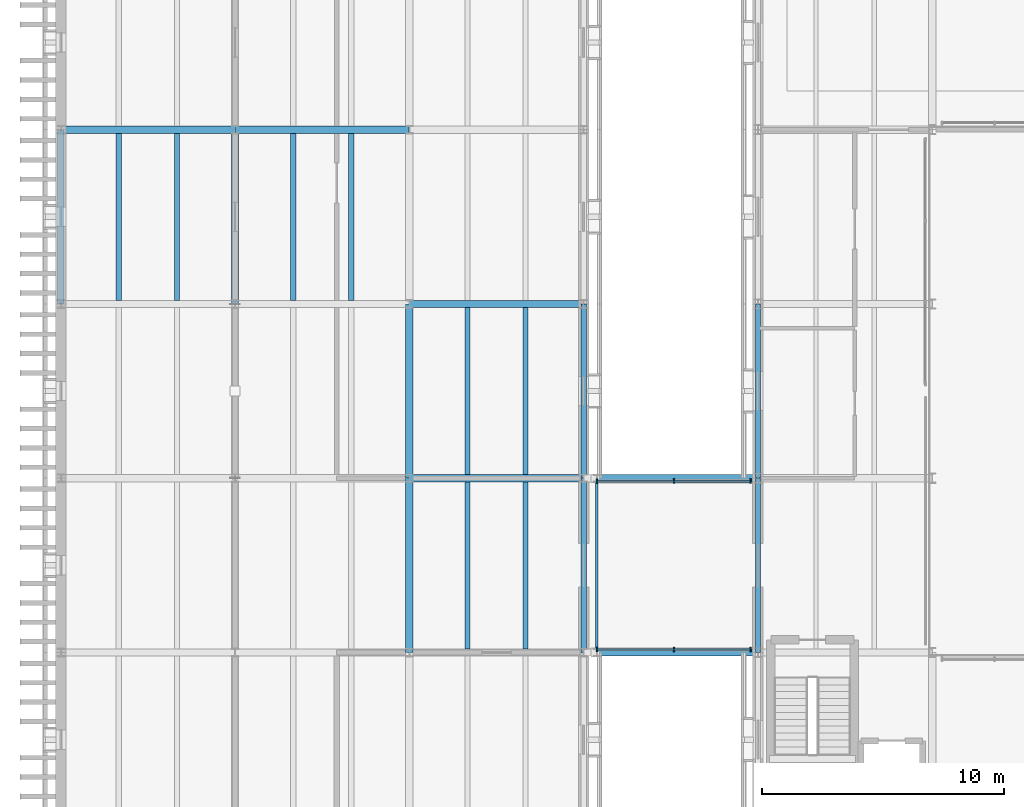
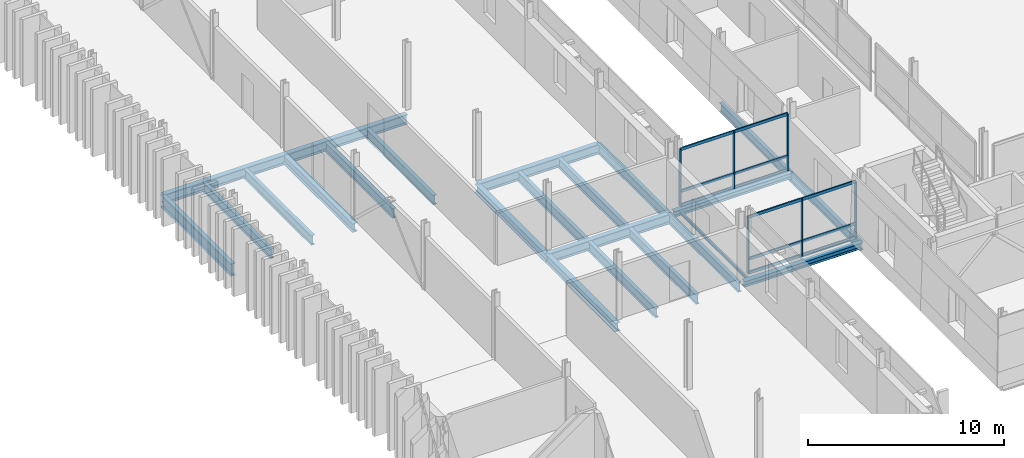
# One storey, part 21 of 115: 23 beams, 12 members, 2 elements without a shape of their own.
"""IFC4 building model written with IfcOpenShell, lengths in metres."""

from ifc_helpers import new_model, si_unit, direction, frame, origin, origin_2d, place, context, subcontext, project, spatial, rectangle, i_section, extrude, material, layer, layer_set, material_profile, profile_set, type_object, element, aggregate, save


model = new_model("IFC4")

# Units and contexts
model_context = context("Model", 3, precision=1e-05, world=origin(), true_north=direction((0.0, 1.0)))
body_context = subcontext(model_context, "Body", "Model", "MODEL_VIEW")
ifc_project = project(units=[si_unit("LENGTHUNIT", "METRE"), si_unit("AREAUNIT", "SQUARE_METRE"), si_unit("VOLUMEUNIT", "CUBIC_METRE"), si_unit("PLANEANGLEUNIT", "RADIAN"), si_unit("MASSUNIT", "GRAM", prefix="KILO")], contexts=[model_context])

# Site, building, storey
site_placement = place(None, origin())
site = spatial("IfcSite", under=ifc_project, at=site_placement, CompositionType="ELEMENT")
building_placement = place(site_placement, origin())
building = spatial("IfcBuilding", under=site, at=building_placement, Name="Narikvali Park Central Library", CompositionType="ELEMENT")
storey_placement = place(building_placement, frame((0.0, 0.0, 10.199951171875)))
storey = spatial("IfcBuildingStorey", under=building, at=storey_placement, Name="L02", CompositionType="ELEMENT", Elevation=10.199951171875)

# Beams
ifc_material_1 = material(Name="Steel S355", Category="steel")
ifc_material_profile_1 = material_profile(ifc_material_1, i_section(OverallWidth=0.300048828125, OverallDepth=0.35009765625, WebThickness=0.010009765625, FlangeThickness=0.017578125, FilletRadius=0.027099609375, at=origin_2d()), Name="HEA 360")
ifc_profile_set_1 = profile_set([ifc_material_profile_1], Name="Steel S355")
beam_type_1 = type_object("IfcBeamType", Name="Bridge Sliding Girder HEA360", PredefinedType="BEAM", material=ifc_profile_set_1)
for number, where, z_axis, x_axis, name in (
    (1, (21.820068359375, 64.800048828125, -0.425048828125), (1.0, 0.0, 0.0), (0.0, 1.0, 0.0), "BRG-1 L02 Sliding Bridge Girder 1-1"),
    (2, (21.820068359375, 72.0, -0.425048828125), (1.0, 0.0, 0.0), (0.0, 1.0, 0.0), "BRG-1 L02 Sliding Bridge Girder 2-1"),
):
    element("IfcBeam", number, at=place(storey_placement, frame(where, z_axis=z_axis, x_axis=x_axis)), inside=storey, type_object=beam_type_1, Name=name, PredefinedType="BEAM", context=body_context, shape_type="SweptSolid", body=[
        extrude(i_section(OverallWidth=0.300048828125, OverallDepth=0.35009765625, WebThickness=0.010009765625, FlangeThickness=0.017578125, FilletRadius=0.027099609375, at=origin_2d()), origin(), (0.0, 0.0, 1.0), 6.969970703125),
    ])
ifc_material_profile_2 = material_profile(ifc_material_1, i_section(OverallWidth=0.219970703125, OverallDepth=0.60009765625, WebThickness=0.011962890625, FlangeThickness=0.01904296875, FilletRadius=0.02392578125, at=origin_2d()), Name="IPE 600")
ifc_profile_set_2 = profile_set([ifc_material_profile_2], Name="Steel S355")
beam_type_2 = type_object("IfcBeamType", Name="Compact Archive Joist IPE600", PredefinedType="JOIST", material=ifc_profile_set_2)
for number, where, z_axis, x_axis, name in (
    (3, (2.39990234375, 79.35009765625, -0.599853515625), (0.0, 1.0, 0.0), (-1.0, 0.0, 0.0), "V5 L02 Composite Joist 1"),
    (4, (4.800048828125, 79.35009765625, -0.599853515625), (0.0, 1.0, 0.0), (-1.0, 0.0, 0.0), "V5 L02 Composite Joist 2"),
    (5, (9.60009765625, 79.35009765625, -0.599853515625), (0.0, 1.0, 0.0), (-1.0, 0.0, 0.0), "V5 L02 Composite Joist 1"),
    (6, (12.0, 79.35009765625, -0.599853515625), (0.0, 1.0, 0.0), (-1.0, 0.0, 0.0), "V5 L02 Composite Joist 2"),
):
    element("IfcBeam", number, at=place(storey_placement, frame(where, z_axis=z_axis, x_axis=x_axis)), inside=storey, type_object=beam_type_2, Name=name, PredefinedType="JOIST", context=body_context, shape_type="SweptSolid", body=[
        extrude(i_section(OverallWidth=0.219970703125, OverallDepth=0.60009765625, WebThickness=0.011962890625, FlangeThickness=0.01904296875, FilletRadius=0.02392578125, at=origin_2d()), origin(), (0.0, 0.0, 1.0), 6.89990234375),
    ])
for number, where, z_axis, x_axis, name in (
    (7, (16.800048828125, 64.949951171875, -0.599853515625), (0.0, 1.0, 0.0), (-1.0, 0.0, 0.0), "V5 L02 Composite Joist 1"),
    (8, (19.199951171875, 64.949951171875, -0.599853515625), (0.0, 1.0, 0.0), (-1.0, 0.0, 0.0), "V5 L02 Composite Joist 2"),
    (9, (16.800048828125, 72.14990234375, -0.599853515625), (0.0, 1.0, 0.0), (-1.0, 0.0, 0.0), "V5 L02 Composite Joist 1"),
    (10, (19.199951171875, 72.14990234375, -0.599853515625), (0.0, 1.0, 0.0), (-1.0, 0.0, 0.0), "V5 L02 Composite Joist 2"),
):
    element("IfcBeam", number, at=place(storey_placement, frame(where, z_axis=z_axis, x_axis=x_axis)), inside=storey, type_object=beam_type_2, Name=name, PredefinedType="JOIST", context=body_context, shape_type="SweptSolid", body=[
        extrude(i_section(OverallWidth=0.219970703125, OverallDepth=0.60009765625, WebThickness=0.011962890625, FlangeThickness=0.01904296875, FilletRadius=0.02392578125, at=origin_2d()), origin(), (0.0, 0.0, 1.0), 6.900146484375),
    ])

# Curtain wall, members
ifc_material_2 = material(Name="Anodised Bronze Aluminium", Category="aluminium")
ifc_layer = layer(ifc_material_2, 0.219970703125, Name="Anodised Bronze Aluminium")
ifc_layer_set = layer_set([ifc_layer], Name="Anodised Bronze Aluminium")
curtain_wall_type = type_object("IfcCurtainWallType", Name="Bridge Covered Passage Glazing System", PredefinedType="NOTDEFINED", material=ifc_layer_set)
curtain_wall_1_placement = place(storey_placement, origin())
curtain_wall_1 = element("IfcCurtainWall", 11, at=curtain_wall_1_placement, inside=storey, type_object=curtain_wall_type, Name="Bridge Covered Passage Glazing System CW-BRG-1-L02-S1", PredefinedType="NOTDEFINED")
ifc_material_profile_3 = material_profile(ifc_material_2, rectangle(XDim=0.074951171875, YDim=0.179931640625, at=origin_2d()), Name="CW TRANSOM 75x180")
ifc_profile_set_3 = profile_set([ifc_material_profile_3], Name="Anodised Bronze Aluminium")
member_type_1 = type_object("IfcMemberType", Name="Curtain Wall Heavy Transom 75x180", PredefinedType="USERDEFINED", material=ifc_profile_set_3)
member_1_placement = place(storey_placement, frame((22.14990234375, 64.919921875, 0.030029296875), z_axis=(1.0, 0.0, 0.0), x_axis=(0.0, 1.0, 0.0)))
member_1 = element("IfcMember", 12, at=member_1_placement, type_object=member_type_1, Name="CW-BRG-1-L02-S1 Transom 00", ObjectType="TRANSOM", PredefinedType="USERDEFINED", context=body_context, shape_type="SweptSolid", body=[
    extrude(rectangle(XDim=0.074951171875, YDim=0.179931640625, at=origin_2d()), origin(), (0.0, 0.0, 1.0), 6.35009765625),
])
member_2_placement = place(storey_placement, frame((22.14990234375, 64.919921875, 0.900146484375), z_axis=(1.0, 0.0, 0.0), x_axis=(0.0, 1.0, 0.0)))
member_2 = element("IfcMember", 13, at=member_2_placement, type_object=member_type_1, Name="CW-BRG-1-L02-S1 Transom 01", ObjectType="TRANSOM", PredefinedType="USERDEFINED", context=body_context, shape_type="SweptSolid", body=[
    extrude(rectangle(XDim=0.074951171875, YDim=0.179931640625, at=origin_2d()), origin(), (0.0, 0.0, 1.0), 6.35009765625),
])
member_3_placement = place(storey_placement, frame((22.14990234375, 64.919921875, 3.52001953125), z_axis=(1.0, 0.0, 0.0), x_axis=(0.0, 1.0, 0.0)))
member_3 = element("IfcMember", 14, at=member_3_placement, type_object=member_type_1, Name="CW-BRG-1-L02-S1 Transom 02", ObjectType="TRANSOM", PredefinedType="USERDEFINED", context=body_context, shape_type="SweptSolid", body=[
    extrude(rectangle(XDim=0.074951171875, YDim=0.179931640625, at=origin_2d()), origin(), (0.0, 0.0, 1.0), 6.35009765625),
])

curtain_wall_2_placement = place(storey_placement, origin())
curtain_wall_2 = element("IfcCurtainWall", 15, at=curtain_wall_2_placement, inside=storey, type_object=curtain_wall_type, Name="Bridge Covered Passage Glazing System CW-BRG-1-L02-N1", PredefinedType="NOTDEFINED")
member_4_placement = place(storey_placement, frame((22.14990234375, 71.8798828125, 0.030029296875), z_axis=(1.0, 0.0, 0.0), x_axis=(0.0, 1.0, 0.0)))
member_4 = element("IfcMember", 16, at=member_4_placement, type_object=member_type_1, Name="CW-BRG-1-L02-N1 Transom 00", ObjectType="TRANSOM", PredefinedType="USERDEFINED", context=body_context, shape_type="SweptSolid", body=[
    extrude(rectangle(XDim=0.074951171875, YDim=0.179931640625, at=origin_2d()), origin(), (0.0, 0.0, 1.0), 6.35009765625),
])
member_5_placement = place(storey_placement, frame((22.14990234375, 71.8798828125, 0.900146484375), z_axis=(1.0, 0.0, 0.0), x_axis=(0.0, 1.0, 0.0)))
member_5 = element("IfcMember", 17, at=member_5_placement, type_object=member_type_1, Name="CW-BRG-1-L02-N1 Transom 01", ObjectType="TRANSOM", PredefinedType="USERDEFINED", context=body_context, shape_type="SweptSolid", body=[
    extrude(rectangle(XDim=0.074951171875, YDim=0.179931640625, at=origin_2d()), origin(), (0.0, 0.0, 1.0), 6.35009765625),
])
member_6_placement = place(storey_placement, frame((22.14990234375, 71.8798828125, 3.52001953125), z_axis=(1.0, 0.0, 0.0), x_axis=(0.0, 1.0, 0.0)))
member_6 = element("IfcMember", 18, at=member_6_placement, type_object=member_type_1, Name="CW-BRG-1-L02-N1 Transom 02", ObjectType="TRANSOM", PredefinedType="USERDEFINED", context=body_context, shape_type="SweptSolid", body=[
    extrude(rectangle(XDim=0.074951171875, YDim=0.179931640625, at=origin_2d()), origin(), (0.0, 0.0, 1.0), 6.35009765625),
])

# Member
ifc_material_profile_4 = material_profile(ifc_material_2, rectangle(XDim=0.06494140625, YDim=0.179931640625, at=origin_2d()), Name="CW MULLION 65x180")
ifc_profile_set_4 = profile_set([ifc_material_profile_4], Name="Anodised Bronze Aluminium")
member_type_2 = type_object("IfcMemberType", Name="Curtain Wall Mullion 65x180", PredefinedType="MULLION", material=ifc_profile_set_4)
member_7_placement = place(storey_placement, frame((22.14990234375, 64.919921875, -0.010009765625), z_axis=(0.0, 0.0, 1.0), x_axis=(1.0, 0.0, 0.0)))
member_7 = element("IfcMember", 19, at=member_7_placement, type_object=member_type_2, Name="CW-BRG-1-L02-S1 Mullion 00", PredefinedType="MULLION", context=body_context, shape_type="SweptSolid", body=[
    extrude(rectangle(XDim=0.06494140625, YDim=0.179931640625, at=origin_2d()), origin(), (0.0, 0.0, 1.0), 3.56005859375),
])

member_8_placement = place(storey_placement, frame((25.324951171875, 64.919921875, -0.010009765625), z_axis=(0.0, 0.0, 1.0), x_axis=(1.0, 0.0, 0.0)))
member_8 = element("IfcMember", 20, at=member_8_placement, type_object=member_type_2, Name="CW-BRG-1-L02-S1 Mullion 01", PredefinedType="MULLION", context=body_context, shape_type="SweptSolid", body=[
    extrude(rectangle(XDim=0.06494140625, YDim=0.179931640625, at=origin_2d()), origin(), (0.0, 0.0, 1.0), 3.56005859375),
])

member_9_placement = place(storey_placement, frame((28.5, 64.919921875, -0.010009765625), z_axis=(0.0, 0.0, 1.0), x_axis=(1.0, 0.0, 0.0)))
member_9 = element("IfcMember", 21, at=member_9_placement, type_object=member_type_2, Name="CW-BRG-1-L02-S1 Mullion 02", PredefinedType="MULLION", context=body_context, shape_type="SweptSolid", body=[
    extrude(rectangle(XDim=0.06494140625, YDim=0.179931640625, at=origin_2d()), origin(), (0.0, 0.0, 1.0), 3.56005859375),
])

aggregate(curtain_wall_1, [member_7, member_8, member_9, member_1, member_2, member_3])

member_10_placement = place(storey_placement, frame((22.14990234375, 71.8798828125, -0.010009765625), z_axis=(0.0, 0.0, 1.0), x_axis=(1.0, 0.0, 0.0)))
member_10 = element("IfcMember", 22, at=member_10_placement, type_object=member_type_2, Name="CW-BRG-1-L02-N1 Mullion 00", PredefinedType="MULLION", context=body_context, shape_type="SweptSolid", body=[
    extrude(rectangle(XDim=0.06494140625, YDim=0.179931640625, at=origin_2d()), origin(), (0.0, 0.0, 1.0), 3.56005859375),
])

member_11_placement = place(storey_placement, frame((25.324951171875, 71.8798828125, -0.010009765625), z_axis=(0.0, 0.0, 1.0), x_axis=(1.0, 0.0, 0.0)))
member_11 = element("IfcMember", 23, at=member_11_placement, type_object=member_type_2, Name="CW-BRG-1-L02-N1 Mullion 01", PredefinedType="MULLION", context=body_context, shape_type="SweptSolid", body=[
    extrude(rectangle(XDim=0.06494140625, YDim=0.179931640625, at=origin_2d()), origin(), (0.0, 0.0, 1.0), 3.56005859375),
])

member_12_placement = place(storey_placement, frame((28.5, 71.8798828125, -0.010009765625), z_axis=(0.0, 0.0, 1.0), x_axis=(1.0, 0.0, 0.0)))
member_12 = element("IfcMember", 24, at=member_12_placement, type_object=member_type_2, Name="CW-BRG-1-L02-N1 Mullion 02", PredefinedType="MULLION", context=body_context, shape_type="SweptSolid", body=[
    extrude(rectangle(XDim=0.06494140625, YDim=0.179931640625, at=origin_2d()), origin(), (0.0, 0.0, 1.0), 3.56005859375),
])

aggregate(curtain_wall_2, [member_10, member_11, member_12, member_4, member_5, member_6])

# Beams
ifc_material_profile_5 = material_profile(ifc_material_1, i_section(OverallWidth=0.264892578125, OverallDepth=0.7529296875, WebThickness=0.01318359375, FlangeThickness=0.01708984375, FilletRadius=0.01708984375, at=origin_2d()), Name="IPE 750x147")
ifc_profile_set_5 = profile_set([ifc_material_profile_5], Name="Steel S355")
beam_type_3 = type_object("IfcBeamType", Name="Fin Facade Spandrel IPE750", PredefinedType="SPANDREL", material=ifc_profile_set_5)
beam_1_placement = place(storey_placement, frame((0.0, 79.2080078125, -0.676513671875), z_axis=(0.0, 1.0, 0.0), x_axis=(-1.0, 0.0, 0.0)))
element("IfcBeam", 25, at=beam_1_placement, inside=storey, type_object=beam_type_3, Name="V5 L02 Girder Y", PredefinedType="SPANDREL", context=body_context, shape_type="SweptSolid", body=[
    extrude(i_section(OverallWidth=0.264892578125, OverallDepth=0.7529296875, WebThickness=0.01318359375, FlangeThickness=0.01708984375, FilletRadius=0.01708984375, at=origin_2d()), origin(), (0.0, 0.0, 1.0), 7.18408203125),
])
ifc_material_profile_6 = material_profile(ifc_material_1, i_section(OverallWidth=0.2099609375, OverallDepth=0.550048828125, WebThickness=0.010986328125, FlangeThickness=0.01708984375, FilletRadius=0.02392578125, at=origin_2d()), Name="IPE 550")
ifc_profile_set_6 = profile_set([ifc_material_profile_6], Name="Steel S355")
beam_type_4 = type_object("IfcBeamType", Name="Perimeter Spandrel IPE550", PredefinedType="SPANDREL", material=ifc_profile_set_6)
for number, where, z_axis, x_axis, name in (
    (26, (28.800048828125, 64.80810546875, -0.554931640625), (0.0, 1.0, 0.0), (-1.0, 0.0, 0.0), "V4 L02 Girder Y"),
    (27, (28.800048828125, 72.008056640625, -0.554931640625), (0.0, 1.0, 0.0), (-1.0, 0.0, 0.0), "V4 L02 Girder Y"),
):
    element("IfcBeam", number, at=place(storey_placement, frame(where, z_axis=z_axis, x_axis=x_axis)), inside=storey, type_object=beam_type_4, Name=name, PredefinedType="SPANDREL", context=body_context, shape_type="SweptSolid", body=[
        extrude(i_section(OverallWidth=0.2099609375, OverallDepth=0.550048828125, WebThickness=0.010986328125, FlangeThickness=0.01708984375, FilletRadius=0.02392578125, at=origin_2d()), origin(), (0.0, 0.0, 1.0), 7.183837890625),
    ])
ifc_material_profile_7 = material_profile(ifc_material_1, i_section(OverallWidth=0.219970703125, OverallDepth=0.60009765625, WebThickness=0.011962890625, FlangeThickness=0.01904296875, FilletRadius=0.02392578125, at=origin_2d()), Name="IPE 600")
ifc_profile_set_7 = profile_set([ifc_material_profile_7], Name="Steel S355")
beam_type_5 = type_object("IfcBeamType", Name="Perimeter Spandrel IPE600", PredefinedType="SPANDREL", material=ifc_profile_set_7)
for number, where, z_axis, x_axis, name in (
    (28, (21.60009765625, 64.80810546875, -0.599853515625), (0.0, 1.0, 0.0), (-1.0, 0.0, 0.0), "V5 L02 Girder Y"),
    (29, (21.60009765625, 72.008056640625, -0.599853515625), (0.0, 1.0, 0.0), (-1.0, 0.0, 0.0), "V5 L02 Girder Y"),
):
    element("IfcBeam", number, at=place(storey_placement, frame(where, z_axis=z_axis, x_axis=x_axis)), inside=storey, type_object=beam_type_5, Name=name, PredefinedType="SPANDREL", context=body_context, shape_type="SweptSolid", body=[
        extrude(i_section(OverallWidth=0.219970703125, OverallDepth=0.60009765625, WebThickness=0.011962890625, FlangeThickness=0.01904296875, FilletRadius=0.02392578125, at=origin_2d()), origin(), (0.0, 0.0, 1.0), 7.183837890625),
    ])
ifc_material_profile_8 = material_profile(ifc_material_1, i_section(OverallWidth=0.10009765625, OverallDepth=0.199951171875, WebThickness=0.005615234375, FlangeThickness=0.008544921875, FilletRadius=0.011962890625, at=origin_2d()), Name="IPE 200")
ifc_profile_set_8 = profile_set([ifc_material_profile_8], Name="Steel S355")
beam_type_6 = type_object("IfcBeamType", Name="Portal Steel Lintel IPE200", PredefinedType="LINTEL", material=ifc_profile_set_8)
beam_2_placement = place(storey_placement, frame((22.14990234375, 64.9599609375, -0.349853515625), z_axis=(0.0, 1.0, 0.0), x_axis=(-1.0, 0.0, 0.0)))
element("IfcBeam", 30, at=beam_2_placement, inside=storey, type_object=beam_type_6, Name="BRG-1 L02 Portal Transverse Lintel", PredefinedType="LINTEL", context=body_context, shape_type="SweptSolid", body=[
    extrude(i_section(OverallWidth=0.10009765625, OverallDepth=0.199951171875, WebThickness=0.005615234375, FlangeThickness=0.008544921875, FilletRadius=0.011962890625, at=origin_2d()), origin(), (0.0, 0.0, 1.0), 6.880126953125),
])
ifc_material_profile_9 = material_profile(ifc_material_1, i_section(OverallWidth=0.300048828125, OverallDepth=0.5400390625, WebThickness=0.012451171875, FlangeThickness=0.02392578125, FilletRadius=0.027099609375, at=origin_2d()), Name="HEA 550")
ifc_profile_set_9 = profile_set([ifc_material_profile_9], Name="Steel S355")
beam_type_7 = type_object("IfcBeamType", Name="Primary Girder HEA550", PredefinedType="BEAM", material=ifc_profile_set_9)
beam_3_placement = place(storey_placement, frame((7.199951171875, 79.2080078125, -0.570068359375), z_axis=(0.0, 1.0, 0.0), x_axis=(-1.0, 0.0, 0.0)))
element("IfcBeam", 31, at=beam_3_placement, inside=storey, type_object=beam_type_7, Name="V5 L02 Girder Y", PredefinedType="BEAM", context=body_context, shape_type="SweptSolid", body=[
    extrude(i_section(OverallWidth=0.300048828125, OverallDepth=0.5400390625, WebThickness=0.012451171875, FlangeThickness=0.02392578125, FilletRadius=0.027099609375, at=origin_2d()), origin(), (0.0, 0.0, 1.0), 7.18408203125),
])
for number, where, z_axis, x_axis, name in (
    (32, (14.39990234375, 64.80810546875, -0.570068359375), (0.0, 1.0, 0.0), (-1.0, 0.0, 0.0), "V5 L02 Girder Y"),
    (33, (14.39990234375, 72.008056640625, -0.570068359375), (0.0, 1.0, 0.0), (-1.0, 0.0, 0.0), "V5 L02 Girder Y"),
):
    element("IfcBeam", number, at=place(storey_placement, frame(where, z_axis=z_axis, x_axis=x_axis)), inside=storey, type_object=beam_type_7, Name=name, PredefinedType="BEAM", context=body_context, shape_type="SweptSolid", body=[
        extrude(i_section(OverallWidth=0.300048828125, OverallDepth=0.5400390625, WebThickness=0.012451171875, FlangeThickness=0.02392578125, FilletRadius=0.027099609375, at=origin_2d()), origin(), (0.0, 0.0, 1.0), 7.183837890625),
    ])
ifc_material_profile_10 = material_profile(ifc_material_1, i_section(OverallWidth=0.300048828125, OverallDepth=0.60009765625, WebThickness=0.015380859375, FlangeThickness=0.030029296875, FilletRadius=0.027099609375, at=origin_2d()), Name="HEB 600")
ifc_profile_set_10 = profile_set([ifc_material_profile_10], Name="Steel S355")
beam_type_8 = type_object("IfcBeamType", Name="Primary Stack Girder HEB600", PredefinedType="BEAM", material=ifc_profile_set_10)
for number, where, z_axis, x_axis, name in (
    (34, (14.407958984375, 72.0, -0.599853515625), (1.0, 0.0, 0.0), (0.0, 1.0, 0.0), "V5 L02 Girder X"),
    (35, (14.407958984375, 79.199951171875, -0.599853515625), (1.0, 0.0, 0.0), (0.0, 1.0, 0.0), "V5 L02 Girder X"),
):
    element("IfcBeam", number, at=place(storey_placement, frame(where, z_axis=z_axis, x_axis=x_axis)), inside=storey, type_object=beam_type_8, Name=name, PredefinedType="BEAM", context=body_context, shape_type="SweptSolid", body=[
        extrude(i_section(OverallWidth=0.300048828125, OverallDepth=0.60009765625, WebThickness=0.015380859375, FlangeThickness=0.030029296875, FilletRadius=0.027099609375, at=origin_2d()), origin(), (0.0, 0.0, 1.0), 7.18408203125),
    ])
beam_4_placement = place(storey_placement, frame((0.008056640625, 86.39990234375, -0.599853515625), z_axis=(1.0, 0.0, 0.0), x_axis=(0.0, 1.0, 0.0)))
element("IfcBeam", 36, at=beam_4_placement, inside=storey, type_object=beam_type_8, Name="V5 L02 Girder X", PredefinedType="BEAM", context=body_context, shape_type="SweptSolid", body=[
    extrude(i_section(OverallWidth=0.300048828125, OverallDepth=0.60009765625, WebThickness=0.015380859375, FlangeThickness=0.030029296875, FilletRadius=0.027099609375, at=origin_2d()), origin(), (0.0, 0.0, 1.0), 7.183837890625),
])
beam_5_placement = place(storey_placement, frame((7.2080078125, 86.39990234375, -0.599853515625), z_axis=(1.0, 0.0, 0.0), x_axis=(0.0, 1.0, 0.0)))
element("IfcBeam", 37, at=beam_5_placement, inside=storey, type_object=beam_type_8, Name="V5 L02 Girder X", PredefinedType="BEAM", context=body_context, shape_type="SweptSolid", body=[
    extrude(i_section(OverallWidth=0.300048828125, OverallDepth=0.60009765625, WebThickness=0.015380859375, FlangeThickness=0.030029296875, FilletRadius=0.027099609375, at=origin_2d()), origin(), (0.0, 0.0, 1.0), 7.18408203125),
])

save(model, "model.ifc")
